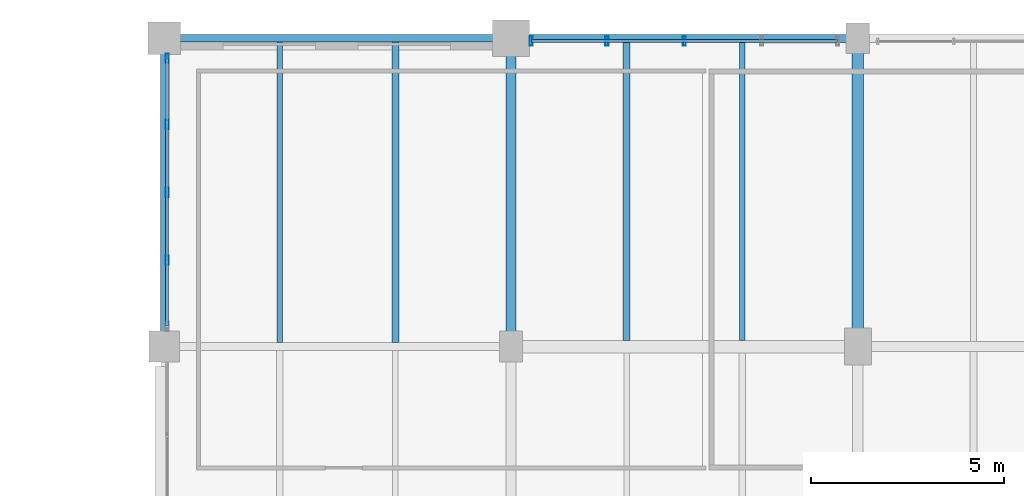
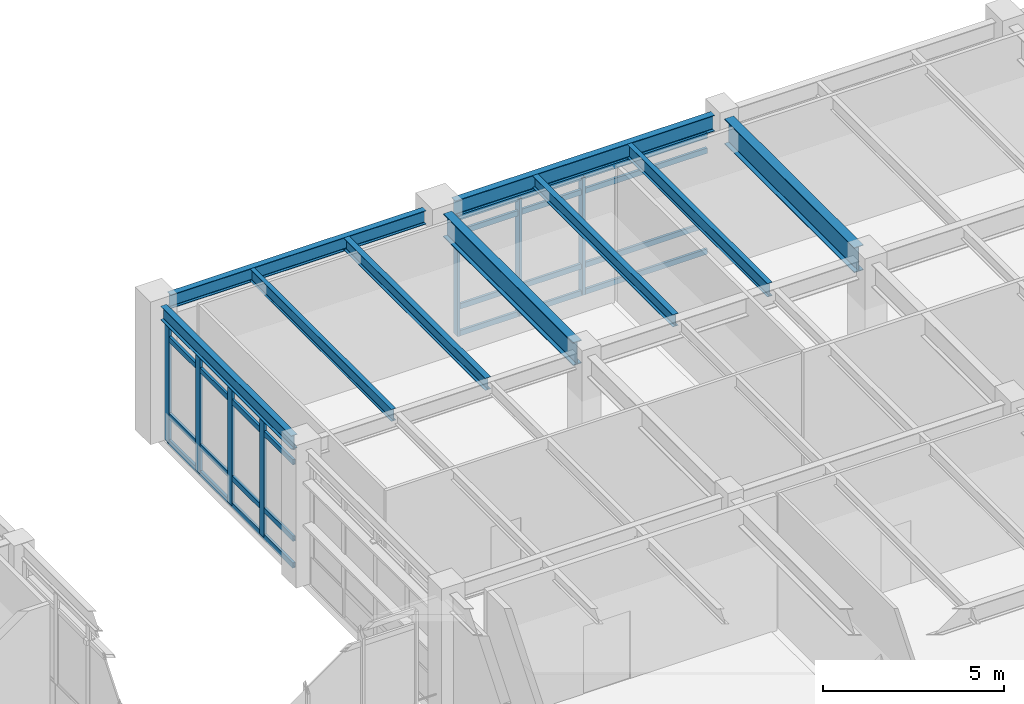
# One storey, part 102 of 200: 15 members, 9 beams, 2 elements without a shape of their own.
"""IFC4 building model written with IfcOpenShell, lengths in metres."""

from ifc_helpers import new_model, si_unit, direction, frame, origin, origin_2d, place, context, subcontext, project, spatial, hollow_rectangle, i_section, extrude, material, material_profile, profile_set, type_object, element, aggregate, save


model = new_model("IFC4")

# Units and contexts
model_context = context("Model", 3, precision=1e-05, world=origin(), true_north=direction((0.0, 1.0)))
body_context = subcontext(model_context, "Body", "Model", "MODEL_VIEW")
ifc_project = project(units=[si_unit("LENGTHUNIT", "METRE"), si_unit("AREAUNIT", "SQUARE_METRE"), si_unit("VOLUMEUNIT", "CUBIC_METRE"), si_unit("PLANEANGLEUNIT", "RADIAN"), si_unit("MASSUNIT", "GRAM", prefix="KILO"), si_unit("THERMODYNAMICTEMPERATUREUNIT", "KELVIN"), si_unit("POWERUNIT", "WATT")], contexts=[model_context])

# Site, building, storey
site_placement = place(None, origin())
site = spatial("IfcSite", under=ifc_project, at=site_placement, CompositionType="ELEMENT")
building_placement = place(site_placement, origin())
building = spatial("IfcBuilding", under=site, at=building_placement, Name="Tepalcoro Natatorium and Aquatics Centre", CompositionType="ELEMENT")
storey_placement = place(building_placement, frame((0.0, 0.0, 5.39990234375)))
storey = spatial("IfcBuildingStorey", under=building, at=storey_placement, Name="L01", CompositionType="ELEMENT", Elevation=5.39990234375)

# Beams
ifc_material_1 = material(Name="Steel ASTM A992 Grade 50 (Fy 345 MPa)", Category="steel")
ifc_material_profile_1 = material_profile(ifc_material_1, i_section(OverallWidth=0.26708984375, OverallDepth=0.780029296875, WebThickness=0.01708984375, FlangeThickness=0.030029296875, FilletRadius=0.013916015625, at=origin_2d()), Name="W30X148")
ifc_profile_set_1 = profile_set([ifc_material_profile_1], Name="Steel ASTM A992 Grade 50 (Fy 345 MPa)")
beam_type_1 = type_object("IfcBeamType", Name="BM_W30x148", PredefinedType="BEAM", material=ifc_profile_set_1)
beam_1_placement = place(storey_placement, frame((107.0, 110.385009765625, 4.155029296875), z_axis=(0.0, 1.0, 0.0), x_axis=(-1.0, 0.0, 0.0)))
element("IfcBeam", 1, at=beam_1_placement, inside=storey, type_object=beam_type_1, Name="V5 L01 Grid Girder Y", PredefinedType="BEAM", context=body_context, shape_type="SweptSolid", body=[
    extrude(i_section(OverallWidth=0.26708984375, OverallDepth=0.780029296875, WebThickness=0.01708984375, FlangeThickness=0.030029296875, FilletRadius=0.013916015625, at=origin_2d()), origin(), (0.0, 0.0, 1.0), 7.155029296875),
])
ifc_material_profile_2 = material_profile(ifc_material_1, i_section(OverallWidth=0.2919921875, OverallDepth=0.845947265625, WebThickness=0.014892578125, FlangeThickness=0.02392578125, FilletRadius=0.013916015625, at=origin_2d()), Name="W33X141")
ifc_profile_set_2 = profile_set([ifc_material_profile_2], Name="Steel ASTM A992 Grade 50 (Fy 345 MPa)")
beam_type_2 = type_object("IfcBeamType", Name="BM_W33x141", PredefinedType="BEAM", material=ifc_profile_set_2)
beam_2_placement = place(storey_placement, frame((116.0, 110.4599609375, 4.1220703125), z_axis=(0.0, 1.0, 0.0), x_axis=(-1.0, 0.0, 0.0)))
element("IfcBeam", 2, at=beam_2_placement, inside=storey, type_object=beam_type_2, Name="V5 L01 Grid Girder Y", PredefinedType="BEAM", context=body_context, shape_type="SweptSolid", body=[
    extrude(i_section(OverallWidth=0.2919921875, OverallDepth=0.845947265625, WebThickness=0.014892578125, FlangeThickness=0.02392578125, FilletRadius=0.013916015625, at=origin_2d()), origin(), (0.0, 0.0, 1.0), 7.155029296875),
])

# Curtain wall, members
ifc_material_2 = material(Name="Bronze-Anodised Extruded Aluminium Alloy EN AW-6063 T6", Category="aluminium")
curtain_wall_type_1 = type_object("IfcCurtainWallType", Name="CW_LEAN_T1_EW", PredefinedType="USERDEFINED", material=ifc_material_2)
curtain_wall_1_placement = place(storey_placement, origin())
curtain_wall_1 = element("IfcCurtainWall", 3, at=curtain_wall_1_placement, inside=storey, type_object=curtain_wall_type_1, Name="V5 L01 N Unitised Curtain Wall Bay 2", ObjectType="FACETED SOLAR GLAZING", PredefinedType="USERDEFINED")
ifc_material_profile_3 = material_profile(ifc_material_2, hollow_rectangle(XDim=0.080078125, YDim=0.239990234375, WallThickness=0.0048828125, at=origin_2d()), Name="AL80X240X5")
ifc_profile_set_3 = profile_set([ifc_material_profile_3], Name="Bronze-Anodised Extruded Aluminium Alloy EN AW-6063 T6")
member_type_1 = type_object("IfcMemberType", Name="CW_MUL_80x240", PredefinedType="MULLION", material=ifc_profile_set_3)
member_1_placement = place(storey_placement, frame((107.52001953125, 117.9287109375, 0.02001953125), z_axis=(0.0, 0.0, 1.0), x_axis=(1.0, 0.0, 0.0)))
member_1 = element("IfcMember", 4, at=member_1_placement, type_object=member_type_1, Name="CW_LEAN_T1_EW Curtain Wall Mullion", PredefinedType="MULLION", context=body_context, shape_type="SweptSolid", body=[
    extrude(hollow_rectangle(XDim=0.080078125, YDim=0.239990234375, WallThickness=0.0048828125, at=origin_2d()), origin(), (0.0, 0.0, 1.0), 3.9541015625),
])
member_2_placement = place(storey_placement, frame((109.489990234375, 117.9287109375, 0.02001953125), z_axis=(0.0, 0.0, 1.0), x_axis=(1.0, 0.0, 0.0)))
member_2 = element("IfcMember", 5, at=member_2_placement, type_object=member_type_1, Name="CW_LEAN_T1_EW Curtain Wall Mullion", PredefinedType="MULLION", context=body_context, shape_type="SweptSolid", body=[
    extrude(hollow_rectangle(XDim=0.080078125, YDim=0.239990234375, WallThickness=0.0048828125, at=origin_2d()), origin(), (0.0, 0.0, 1.0), 3.9541015625),
])
member_3_placement = place(storey_placement, frame((111.5, 117.9287109375, 0.02001953125), z_axis=(0.0, 0.0, 1.0), x_axis=(1.0, 0.0, 0.0)))
member_3 = element("IfcMember", 6, at=member_3_placement, type_object=member_type_1, Name="CW_LEAN_T1_EW Curtain Wall Mullion", PredefinedType="MULLION", context=body_context, shape_type="SweptSolid", body=[
    extrude(hollow_rectangle(XDim=0.080078125, YDim=0.239990234375, WallThickness=0.0048828125, at=origin_2d()), origin(), (0.0, 0.0, 1.0), 3.9541015625),
])

curtain_wall_type_2 = type_object("IfcCurtainWallType", Name="CW_LEAN_T2_NS", PredefinedType="USERDEFINED", material=ifc_material_2)
curtain_wall_2_placement = place(storey_placement, origin())
curtain_wall_2 = element("IfcCurtainWall", 7, at=curtain_wall_2_placement, inside=storey, type_object=curtain_wall_type_2, Name="V5 L01 W Unitised Curtain Wall Bay 4", ObjectType="FACETED SOLAR GLAZING", PredefinedType="USERDEFINED")
member_4_placement = place(storey_placement, frame((98.076171875, 112.239990234375, 0.02001953125), z_axis=(0.0, 0.0, 1.0), x_axis=(1.0, 0.0, 0.0)))
member_4 = element("IfcMember", 8, at=member_4_placement, type_object=member_type_1, Name="CW_LEAN_T2_NS Curtain Wall Mullion", PredefinedType="MULLION", context=body_context, shape_type="SweptSolid", body=[
    extrude(hollow_rectangle(XDim=0.080078125, YDim=0.239990234375, WallThickness=0.0048828125, at=origin_2d()), origin(), (0.0, 0.0, 1.0), 4.030029296875),
])
member_5_placement = place(storey_placement, frame((98.076171875, 114.0, 0.02001953125), z_axis=(0.0, 0.0, 1.0), x_axis=(1.0, 0.0, 0.0)))
member_5 = element("IfcMember", 9, at=member_5_placement, type_object=member_type_1, Name="CW_LEAN_T2_NS Curtain Wall Mullion", PredefinedType="MULLION", context=body_context, shape_type="SweptSolid", body=[
    extrude(hollow_rectangle(XDim=0.080078125, YDim=0.239990234375, WallThickness=0.0048828125, at=origin_2d()), origin(), (0.0, 0.0, 1.0), 4.030029296875),
])
member_6_placement = place(storey_placement, frame((98.076171875, 115.760009765625, 0.02001953125), z_axis=(0.0, 0.0, 1.0), x_axis=(1.0, 0.0, 0.0)))
member_6 = element("IfcMember", 10, at=member_6_placement, type_object=member_type_1, Name="CW_LEAN_T2_NS Curtain Wall Mullion", PredefinedType="MULLION", context=body_context, shape_type="SweptSolid", body=[
    extrude(hollow_rectangle(XDim=0.080078125, YDim=0.239990234375, WallThickness=0.0048828125, at=origin_2d()), origin(), (0.0, 0.0, 1.0), 4.030029296875),
])
member_7_placement = place(storey_placement, frame((98.076171875, 117.47998046875, 0.02001953125), z_axis=(0.0, 0.0, 1.0), x_axis=(1.0, 0.0, 0.0)))
member_7 = element("IfcMember", 11, at=member_7_placement, type_object=member_type_1, Name="CW_LEAN_T2_NS Curtain Wall Mullion", PredefinedType="MULLION", context=body_context, shape_type="SweptSolid", body=[
    extrude(hollow_rectangle(XDim=0.080078125, YDim=0.239990234375, WallThickness=0.0048828125, at=origin_2d()), origin(), (0.0, 0.0, 1.0), 4.030029296875),
])

# Member
ifc_material_profile_4 = material_profile(ifc_material_2, hollow_rectangle(XDim=0.080078125, YDim=0.179931640625, WallThickness=0.0048828125, at=origin_2d()), Name="AL80X180X5")
ifc_profile_set_4 = profile_set([ifc_material_profile_4], Name="Bronze-Anodised Extruded Aluminium Alloy EN AW-6063 T6")
member_type_2 = type_object("IfcMemberType", Name="CW_TRN_80x180", PredefinedType="USERDEFINED", material=ifc_profile_set_4)
member_8_placement = place(storey_placement, frame((107.530029296875, 117.9287109375, 0.050048828125), z_axis=(1.0, 0.0, 0.0), x_axis=(0.0, 1.0, 0.0)))
member_8 = element("IfcMember", 12, at=member_8_placement, type_object=member_type_2, Name="CW_LEAN_T1_EW Curtain Wall Transom", ObjectType="TRANSOM", PredefinedType="USERDEFINED", context=body_context, shape_type="SweptSolid", body=[
    extrude(hollow_rectangle(XDim=0.080078125, YDim=0.179931640625, WallThickness=0.0048828125, at=origin_2d()), origin(), (0.0, 0.0, 1.0), 7.93994140625),
])

member_9_placement = place(storey_placement, frame((107.530029296875, 117.9287109375, 0.9501953125), z_axis=(1.0, 0.0, 0.0), x_axis=(0.0, 1.0, 0.0)))
member_9 = element("IfcMember", 13, at=member_9_placement, type_object=member_type_2, Name="CW_LEAN_T1_EW Curtain Wall Transom", ObjectType="TRANSOM", PredefinedType="USERDEFINED", context=body_context, shape_type="SweptSolid", body=[
    extrude(hollow_rectangle(XDim=0.080078125, YDim=0.179931640625, WallThickness=0.0048828125, at=origin_2d()), origin(), (0.0, 0.0, 1.0), 7.93994140625),
])

member_10_placement = place(storey_placement, frame((107.530029296875, 117.9287109375, 3.444091796875), z_axis=(1.0, 0.0, 0.0), x_axis=(0.0, 1.0, 0.0)))
member_10 = element("IfcMember", 14, at=member_10_placement, type_object=member_type_2, Name="CW_LEAN_T1_EW Curtain Wall Transom", ObjectType="TRANSOM", PredefinedType="USERDEFINED", context=body_context, shape_type="SweptSolid", body=[
    extrude(hollow_rectangle(XDim=0.080078125, YDim=0.179931640625, WallThickness=0.0048828125, at=origin_2d()), origin(), (0.0, 0.0, 1.0), 7.93994140625),
])

member_11_placement = place(storey_placement, frame((107.530029296875, 117.9287109375, 3.944091796875), z_axis=(1.0, 0.0, 0.0), x_axis=(0.0, 1.0, 0.0)))
member_11 = element("IfcMember", 15, at=member_11_placement, type_object=member_type_2, Name="CW_LEAN_T1_EW Curtain Wall Transom", ObjectType="TRANSOM", PredefinedType="USERDEFINED", context=body_context, shape_type="SweptSolid", body=[
    extrude(hollow_rectangle(XDim=0.080078125, YDim=0.179931640625, WallThickness=0.0048828125, at=origin_2d()), origin(), (0.0, 0.0, 1.0), 7.93994140625),
])

aggregate(curtain_wall_1, [member_1, member_2, member_3, member_8, member_9, member_10, member_11])

member_12_placement = place(storey_placement, frame((98.076171875, 110.530029296875, 0.050048828125), z_axis=(0.0, 1.0, 0.0), x_axis=(-1.0, 0.0, 0.0)))
member_12 = element("IfcMember", 16, at=member_12_placement, type_object=member_type_2, Name="CW_LEAN_T2_NS Curtain Wall Transom", ObjectType="TRANSOM", PredefinedType="USERDEFINED", context=body_context, shape_type="SweptSolid", body=[
    extrude(hollow_rectangle(XDim=0.080078125, YDim=0.179931640625, WallThickness=0.0048828125, at=origin_2d()), origin(), (0.0, 0.0, 1.0), 6.93994140625),
])

member_13_placement = place(storey_placement, frame((98.076171875, 110.530029296875, 0.9501953125), z_axis=(0.0, 1.0, 0.0), x_axis=(-1.0, 0.0, 0.0)))
member_13 = element("IfcMember", 17, at=member_13_placement, type_object=member_type_2, Name="CW_LEAN_T2_NS Curtain Wall Transom", ObjectType="TRANSOM", PredefinedType="USERDEFINED", context=body_context, shape_type="SweptSolid", body=[
    extrude(hollow_rectangle(XDim=0.080078125, YDim=0.179931640625, WallThickness=0.0048828125, at=origin_2d()), origin(), (0.0, 0.0, 1.0), 6.93994140625),
])

member_14_placement = place(storey_placement, frame((98.076171875, 110.530029296875, 3.52001953125), z_axis=(0.0, 1.0, 0.0), x_axis=(-1.0, 0.0, 0.0)))
member_14 = element("IfcMember", 18, at=member_14_placement, type_object=member_type_2, Name="CW_LEAN_T2_NS Curtain Wall Transom", ObjectType="TRANSOM", PredefinedType="USERDEFINED", context=body_context, shape_type="SweptSolid", body=[
    extrude(hollow_rectangle(XDim=0.080078125, YDim=0.179931640625, WallThickness=0.0048828125, at=origin_2d()), origin(), (0.0, 0.0, 1.0), 6.93994140625),
])

member_15_placement = place(storey_placement, frame((98.076171875, 110.530029296875, 4.02001953125), z_axis=(0.0, 1.0, 0.0), x_axis=(-1.0, 0.0, 0.0)))
member_15 = element("IfcMember", 19, at=member_15_placement, type_object=member_type_2, Name="CW_LEAN_T2_NS Curtain Wall Transom", ObjectType="TRANSOM", PredefinedType="USERDEFINED", context=body_context, shape_type="SweptSolid", body=[
    extrude(hollow_rectangle(XDim=0.080078125, YDim=0.179931640625, WallThickness=0.0048828125, at=origin_2d()), origin(), (0.0, 0.0, 1.0), 6.93994140625),
])

aggregate(curtain_wall_2, [member_4, member_5, member_6, member_7, member_12, member_13, member_14, member_15])

# Beams
ifc_material_profile_5 = material_profile(ifc_material_1, i_section(OverallWidth=0.139892578125, OverallDepth=0.404052734375, WebThickness=0.007080078125, FlangeThickness=0.010986328125, FilletRadius=0.013916015625, at=origin_2d()), Name="W16X31")
ifc_profile_set_5 = profile_set([ifc_material_profile_5], Name="Steel ASTM A992 Grade 50 (Fy 345 MPa)")
beam_type_3 = type_object("IfcBeamType", Name="JS_W16x31", PredefinedType="JOIST", material=ifc_profile_set_5)
beam_3_placement = place(storey_placement, frame((101.0, 110.10595703125, 4.343017578125), z_axis=(0.0, 1.0, 0.0), x_axis=(-1.0, 0.0, 0.0)))
element("IfcBeam", 20, at=beam_3_placement, inside=storey, type_object=beam_type_3, Name="V5 L01 Floor Joist", PredefinedType="JOIST", context=body_context, shape_type="SweptSolid", body=[
    extrude(i_section(OverallWidth=0.139892578125, OverallDepth=0.404052734375, WebThickness=0.007080078125, FlangeThickness=0.010986328125, FilletRadius=0.013916015625, at=origin_2d()), origin(), (0.0, 0.0, 1.0), 7.798583984375),
])
ifc_material_profile_6 = material_profile(ifc_material_1, i_section(OverallWidth=0.178955078125, OverallDepth=0.409912109375, WebThickness=0.009033203125, FlangeThickness=0.013916015625, FilletRadius=0.013916015625, at=origin_2d()), Name="W16X45")
ifc_profile_set_6 = profile_set([ifc_material_profile_6], Name="Steel ASTM A992 Grade 50 (Fy 345 MPa)")
beam_type_4 = type_object("IfcBeamType", Name="JS_W16x45", PredefinedType="JOIST", material=ifc_profile_set_6)
beam_4_placement = place(storey_placement, frame((104.0, 110.10595703125, 4.340087890625), z_axis=(0.0, 1.0, 0.0), x_axis=(-1.0, 0.0, 0.0)))
element("IfcBeam", 21, at=beam_4_placement, inside=storey, type_object=beam_type_4, Name="V5 L01 Floor Joist", PredefinedType="JOIST", context=body_context, shape_type="SweptSolid", body=[
    extrude(i_section(OverallWidth=0.178955078125, OverallDepth=0.409912109375, WebThickness=0.009033203125, FlangeThickness=0.013916015625, FilletRadius=0.013916015625, at=origin_2d()), origin(), (0.0, 0.0, 1.0), 7.798583984375),
])
beam_5_placement = place(storey_placement, frame((110.0, 110.16259765625, 4.340087890625), z_axis=(0.0, 1.0, 0.0), x_axis=(-1.0, 0.0, 0.0)))
element("IfcBeam", 22, at=beam_5_placement, inside=storey, type_object=beam_type_4, Name="V5 L01 Floor Joist", PredefinedType="JOIST", context=body_context, shape_type="SweptSolid", body=[
    extrude(i_section(OverallWidth=0.178955078125, OverallDepth=0.409912109375, WebThickness=0.009033203125, FlangeThickness=0.013916015625, FilletRadius=0.013916015625, at=origin_2d()), origin(), (0.0, 0.0, 1.0), 7.732421875),
])
ifc_material_profile_7 = material_profile(ifc_material_1, i_section(OverallWidth=0.153076171875, OverallDepth=0.455078125, WebThickness=0.008056640625, FlangeThickness=0.012939453125, FilletRadius=0.013916015625, at=origin_2d()), Name="W18X40")
ifc_profile_set_7 = profile_set([ifc_material_profile_7], Name="Steel ASTM A992 Grade 50 (Fy 345 MPa)")
beam_type_5 = type_object("IfcBeamType", Name="JS_W18x40", PredefinedType="JOIST", material=ifc_profile_set_7)
beam_6_placement = place(storey_placement, frame((113.0, 110.16259765625, 4.317626953125), z_axis=(0.0, 1.0, 0.0), x_axis=(-1.0, 0.0, 0.0)))
element("IfcBeam", 23, at=beam_6_placement, inside=storey, type_object=beam_type_5, Name="V5 L01 Floor Joist", PredefinedType="JOIST", context=body_context, shape_type="SweptSolid", body=[
    extrude(i_section(OverallWidth=0.153076171875, OverallDepth=0.455078125, WebThickness=0.008056640625, FlangeThickness=0.012939453125, FilletRadius=0.013916015625, at=origin_2d()), origin(), (0.0, 0.0, 1.0), 7.732421875),
])
ifc_material_profile_8 = material_profile(ifc_material_1, i_section(OverallWidth=0.19091796875, OverallDepth=0.4599609375, WebThickness=0.010009765625, FlangeThickness=0.01611328125, FilletRadius=0.013916015625, at=origin_2d()), Name="W18X55")
ifc_profile_set_8 = profile_set([ifc_material_profile_8], Name="Steel ASTM A992 Grade 50 (Fy 345 MPa)")
beam_type_6 = type_object("IfcBeamType", Name="SP_W18x55", PredefinedType="SPANDREL", material=ifc_profile_set_8)
beam_7_placement = place(storey_placement, frame((98.409912109375, 118.0, 4.315185546875), z_axis=(1.0, 0.0, 0.0), x_axis=(0.0, 1.0, 0.0)))
element("IfcBeam", 24, at=beam_7_placement, inside=storey, type_object=beam_type_6, Name="V5 L01 Grid Girder X", PredefinedType="SPANDREL", context=body_context, shape_type="SweptSolid", body=[
    extrude(i_section(OverallWidth=0.19091796875, OverallDepth=0.4599609375, WebThickness=0.010009765625, FlangeThickness=0.01611328125, FilletRadius=0.013916015625, at=origin_2d()), origin(), (0.0, 0.0, 1.0), 8.130126953125),
])
beam_8_placement = place(storey_placement, frame((98.0, 110.385009765625, 4.315185546875), z_axis=(0.0, 1.0, 0.0), x_axis=(-1.0, 0.0, 0.0)))
element("IfcBeam", 25, at=beam_8_placement, inside=storey, type_object=beam_type_6, Name="V5 L01 Grid Girder Y", PredefinedType="SPANDREL", context=body_context, shape_type="SweptSolid", body=[
    extrude(i_section(OverallWidth=0.19091796875, OverallDepth=0.4599609375, WebThickness=0.010009765625, FlangeThickness=0.01611328125, FilletRadius=0.013916015625, at=origin_2d()), origin(), (0.0, 0.0, 1.0), 7.205078125),
])
ifc_material_profile_9 = material_profile(ifc_material_1, i_section(OverallWidth=0.2099609375, OverallDepth=0.535888671875, WebThickness=0.010986328125, FlangeThickness=0.01708984375, FilletRadius=0.013916015625, at=origin_2d()), Name="W21X68")
ifc_profile_set_9 = profile_set([ifc_material_profile_9], Name="Steel ASTM A992 Grade 50 (Fy 345 MPa)")
beam_type_7 = type_object("IfcBeamType", Name="SP_W21x68", PredefinedType="SPANDREL", material=ifc_profile_set_9)
beam_9_placement = place(storey_placement, frame((107.4599609375, 118.0, 4.277099609375), z_axis=(1.0, 0.0, 0.0), x_axis=(0.0, 1.0, 0.0)))
element("IfcBeam", 26, at=beam_9_placement, inside=storey, type_object=beam_type_7, Name="V5 L01 Grid Girder X", PredefinedType="SPANDREL", context=body_context, shape_type="SweptSolid", body=[
    extrude(i_section(OverallWidth=0.2099609375, OverallDepth=0.535888671875, WebThickness=0.010986328125, FlangeThickness=0.01708984375, FilletRadius=0.013916015625, at=origin_2d()), origin(), (0.0, 0.0, 1.0), 8.255126953125),
])

save(model, "model.ifc")
